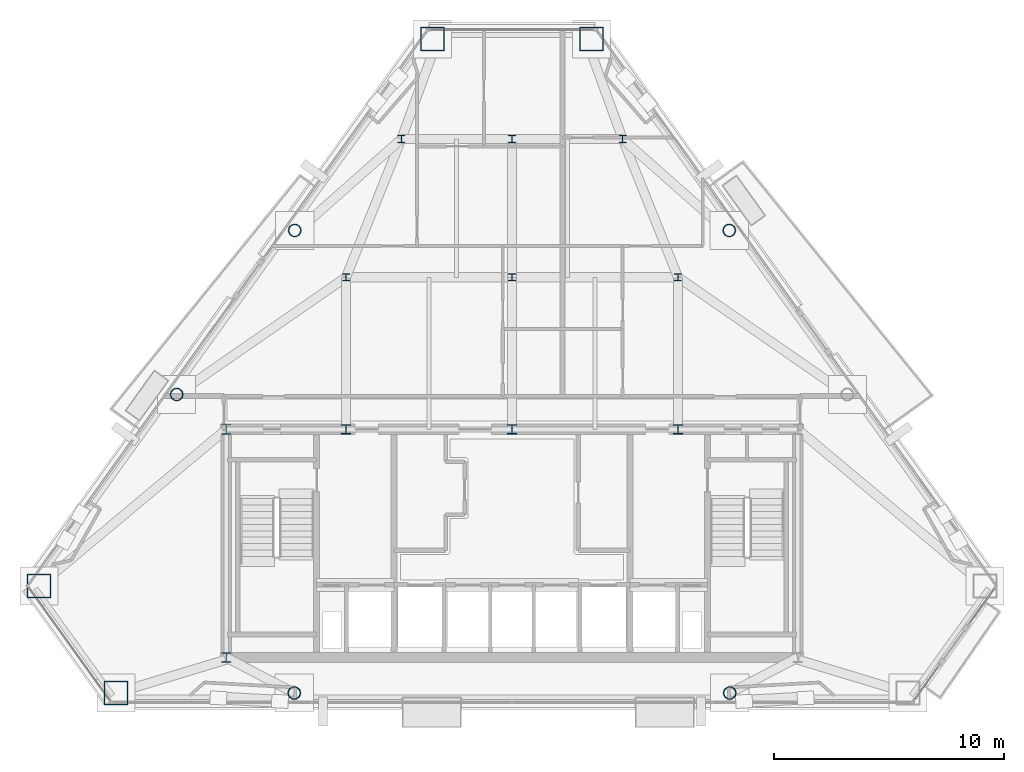
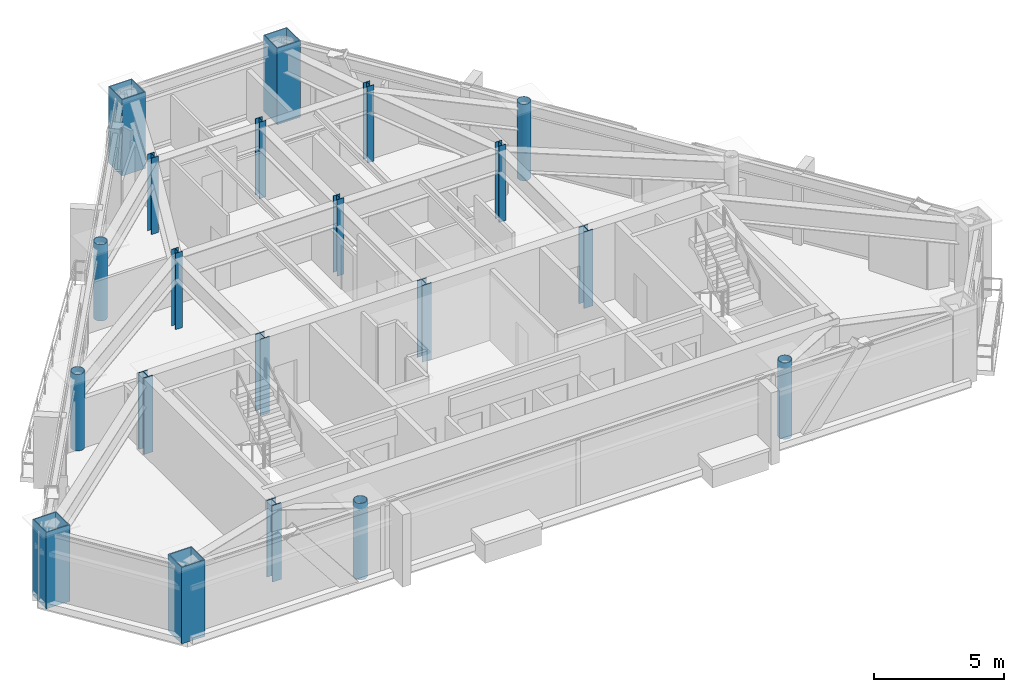
# One storey, part 1 of 11: 20 columns.
"""IFC4 building model written with IfcOpenShell, lengths in metres."""

from ifc_helpers import new_model, si_unit, direction, frame, origin, origin_2d, place, context, subcontext, project, spatial, hollow_rectangle, hollow_circle, i_section, extrude, material, material_profile, profile_set, type_object, element, save


model = new_model("IFC4")

# Units and contexts
model_context = context("Model", 3, precision=1e-05, world=origin(), true_north=direction((0.0, 1.0)))
body_context = subcontext(model_context, "Body", "Model", "MODEL_VIEW")
ifc_project = project(units=[si_unit("LENGTHUNIT", "METRE"), si_unit("AREAUNIT", "SQUARE_METRE"), si_unit("VOLUMEUNIT", "CUBIC_METRE"), si_unit("PLANEANGLEUNIT", "RADIAN"), si_unit("MASSUNIT", "GRAM", prefix="KILO")], contexts=[model_context])

# Site, building, storey
site_placement = place(None, origin())
site = spatial("IfcSite", under=ifc_project, at=site_placement, CompositionType="ELEMENT")
building_placement = place(site_placement, origin())
building = spatial("IfcBuilding", under=site, at=building_placement, Name="Talgorran Terracotta Tower", CompositionType="ELEMENT")
storey_placement = place(building_placement, frame((0.0, 0.0, 200.10009765625)))
storey = spatial("IfcBuildingStorey", under=building, at=storey_placement, Name="L52", CompositionType="ELEMENT", Elevation=200.10009765625)

# Columns
ifc_material_1 = material(Name="Steel S355 (300PLUS)", Category="steel")
ifc_material_profile_1 = material_profile(ifc_material_1, i_section(OverallWidth=0.306884765625, OverallDepth=0.314453125, WebThickness=0.011962890625, FlangeThickness=0.018798828125, at=origin_2d()), Name="310UC118")
ifc_profile_set_1 = profile_set([ifc_material_profile_1], Name="Steel S355 (300PLUS)")
column_type_1 = type_object("IfcColumnType", Name="COL_310UC118", PredefinedType="COLUMN", material=ifc_profile_set_1)
for number, where, z_axis, x_axis, name in (
    (1, (-7.199951171875, 2.39990234375, 0.0), (0.0, 0.0, 1.0), (1.0, 0.0, 0.0), "L52 Interior Gravity Column IC1"),
    (2, (0.0, 2.39990234375, 0.0), (0.0, 0.0, 1.0), (1.0, 0.0, 0.0), "L52 Interior Gravity Column IC2"),
    (3, (7.199951171875, 2.39990234375, 0.0), (0.0, 0.0, 1.0), (1.0, 0.0, 0.0), "L52 Interior Gravity Column IC3"),
    (4, (-4.800048828125, 8.39990234375, 0.0), (0.0, 0.0, 1.0), (1.0, 0.0, 0.0), "L52 Interior Gravity Column IC4"),
    (5, (0.0, 8.39990234375, 0.0), (0.0, 0.0, 1.0), (1.0, 0.0, 0.0), "L52 Interior Gravity Column IC5"),
    (6, (4.800048828125, 8.39990234375, 0.0), (0.0, 0.0, 1.0), (1.0, 0.0, 0.0), "L52 Interior Gravity Column IC6"),
):
    element("IfcColumn", number, at=place(storey_placement, frame(where, z_axis=z_axis, x_axis=x_axis)), inside=storey, type_object=column_type_1, Name=name, PredefinedType="COLUMN", context=body_context, shape_type="SweptSolid", body=[
        extrude(i_section(OverallWidth=0.306884765625, OverallDepth=0.314453125, WebThickness=0.011962890625, FlangeThickness=0.018798828125, at=origin_2d()), origin(), (0.0, 0.0, 1.0), 3.599853515625),
    ])
ifc_material_profile_2 = material_profile(ifc_material_1, i_section(OverallWidth=0.39990234375, OverallDepth=0.43994140625, WebThickness=0.028076171875, FlangeThickness=0.0400390625, at=origin_2d()), Name="400WC328")
ifc_profile_set_2 = profile_set([ifc_material_profile_2], Name="Steel S355 (300PLUS)")
column_type_2 = type_object("IfcColumnType", Name="COL_400WC328", PredefinedType="COLUMN", material=ifc_profile_set_2)
for number, where, z_axis, x_axis, name in (
    (7, (-12.39990234375, -14.10009765625, 0.0), (0.0, 0.0, 1.0), (1.0, 0.0, 0.0), "L52 Core Boundary Column CC1"),
    (8, (-12.39990234375, -4.199951171875, 0.0), (0.0, 0.0, 1.0), (1.0, 0.0, 0.0), "L52 Core Boundary Column CC4"),
):
    element("IfcColumn", number, at=place(storey_placement, frame(where, z_axis=z_axis, x_axis=x_axis)), inside=storey, type_object=column_type_2, Name=name, PredefinedType="COLUMN", context=body_context, shape_type="SweptSolid", body=[
        extrude(i_section(OverallWidth=0.39990234375, OverallDepth=0.43994140625, WebThickness=0.028076171875, FlangeThickness=0.0400390625, at=origin_2d()), origin(), (0.0, 0.0, 1.0), 3.599853515625),
    ])
ifc_material_2 = material(Name="Steel Grade 350 (350L0)", Category="steel")
ifc_material_profile_3 = material_profile(ifc_material_2, hollow_rectangle(XDim=1.050048828125, YDim=1.050048828125, WallThickness=0.044921875, at=origin_2d()), Name="CFT1050X1050X45")
ifc_profile_set_3 = profile_set([ifc_material_profile_3], Name="Steel Grade 350 (350L0)")
column_type_3 = type_object("IfcColumnType", Name="COL_CFT_1050", PredefinedType="COLUMN", material=ifc_profile_set_3)
for number, where, z_axis, x_axis, name in (
    (9, (-20.524169921875, -10.9921875, 0.0), (0.0, 0.0, 1.0), (1.0, 0.0, 0.0), "L52 Corner CFT Mega-Column MC1"),
    (10, (-17.1796875, -15.64111328125, 0.0), (0.0, 0.0, 1.0), (1.0, 0.0, 0.0), "L52 Corner CFT Mega-Column MC2"),
    (11, (3.4521484375, 12.73876953125, 0.0), (0.0, 0.0, 1.0), (1.0, 0.0, 0.0), "L52 Corner CFT Mega-Column MC5"),
    (12, (-3.4521484375, 12.73876953125, 0.0), (0.0, 0.0, 1.0), (1.0, 0.0, 0.0), "L52 Corner CFT Mega-Column MC6"),
):
    element("IfcColumn", number, at=place(storey_placement, frame(where, z_axis=z_axis, x_axis=x_axis)), inside=storey, type_object=column_type_3, Name=name, PredefinedType="COLUMN", context=body_context, shape_type="SweptSolid", body=[
        extrude(hollow_rectangle(XDim=1.050048828125, YDim=1.050048828125, WallThickness=0.044921875, at=origin_2d()), origin(), (0.0, 0.0, 1.0), 3.599853515625),
    ])
ifc_material_profile_4 = material_profile(ifc_material_2, hollow_circle(Radius=0.27490234375, WallThickness=0.02392578125, at=origin_2d()), Name="CHS550X24")
ifc_profile_set_4 = profile_set([ifc_material_profile_4], Name="Steel Grade 350 (350L0)")
column_type_4 = type_object("IfcColumnType", Name="COL_CHS_550", PredefinedType="COLUMN", material=ifc_profile_set_4)
for number, where, z_axis, x_axis, name in (
    (13, (-9.44873046875, -15.64111328125, 0.0), (0.0, 0.0, 1.0), (1.0, 0.0, 0.0), "L52 Facet Perimeter Column FC1"),
    (14, (9.44873046875, -15.64111328125, 0.0), (0.0, 0.0, 1.0), (1.0, 0.0, 0.0), "L52 Facet Perimeter Column FC2"),
    (15, (9.42724609375, 4.43310546875, 0.0), (0.0, 0.0, 1.0), (1.0, 0.0, 0.0), "L52 Facet Perimeter Column FC4"),
    (16, (-9.42724609375, 4.43310546875, 0.0), (0.0, 0.0, 1.0), (1.0, 0.0, 0.0), "L52 Facet Perimeter Column FC5"),
    (17, (-14.548828125, -2.686279296875, 0.0), (0.0, 0.0, 1.0), (1.0, 0.0, 0.0), "L52 Facet Perimeter Column FC6"),
):
    element("IfcColumn", number, at=place(storey_placement, frame(where, z_axis=z_axis, x_axis=x_axis)), inside=storey, type_object=column_type_4, Name=name, PredefinedType="COLUMN", context=body_context, shape_type="SweptSolid", body=[
        extrude(hollow_circle(Radius=0.27490234375, WallThickness=0.02392578125, at=origin_2d()), origin(), (0.0, 0.0, 1.0), 3.599853515625),
    ])
ifc_material_profile_5 = material_profile(ifc_material_1, i_section(OverallWidth=0.405029296875, OverallDepth=0.4140625, WebThickness=0.02197265625, FlangeThickness=0.031982421875, at=origin_2d()), Name="400WC270")
ifc_profile_set_5 = profile_set([ifc_material_profile_5], Name="Steel S355 (300PLUS)")
column_type_5 = type_object("IfcColumnType", Name="COL_PIL_400WC270", PredefinedType="PILASTER", material=ifc_profile_set_5)
for number, where, z_axis, x_axis, name in (
    (18, (-7.199951171875, -4.199951171875, 0.0), (0.0, 0.0, 1.0), (1.0, 0.0, 0.0), "L52 Core Shear Pilaster CP1"),
    (19, (0.0, -4.199951171875, 0.0), (0.0, 0.0, 1.0), (1.0, 0.0, 0.0), "L52 Core Shear Pilaster CP2"),
    (20, (7.199951171875, -4.199951171875, 0.0), (0.0, 0.0, 1.0), (1.0, 0.0, 0.0), "L52 Core Shear Pilaster CP3"),
):
    element("IfcColumn", number, at=place(storey_placement, frame(where, z_axis=z_axis, x_axis=x_axis)), inside=storey, type_object=column_type_5, Name=name, PredefinedType="PILASTER", context=body_context, shape_type="SweptSolid", body=[
        extrude(i_section(OverallWidth=0.405029296875, OverallDepth=0.4140625, WebThickness=0.02197265625, FlangeThickness=0.031982421875, at=origin_2d()), origin(), (0.0, 0.0, 1.0), 3.599853515625),
    ])

save(model, "model.ifc")
